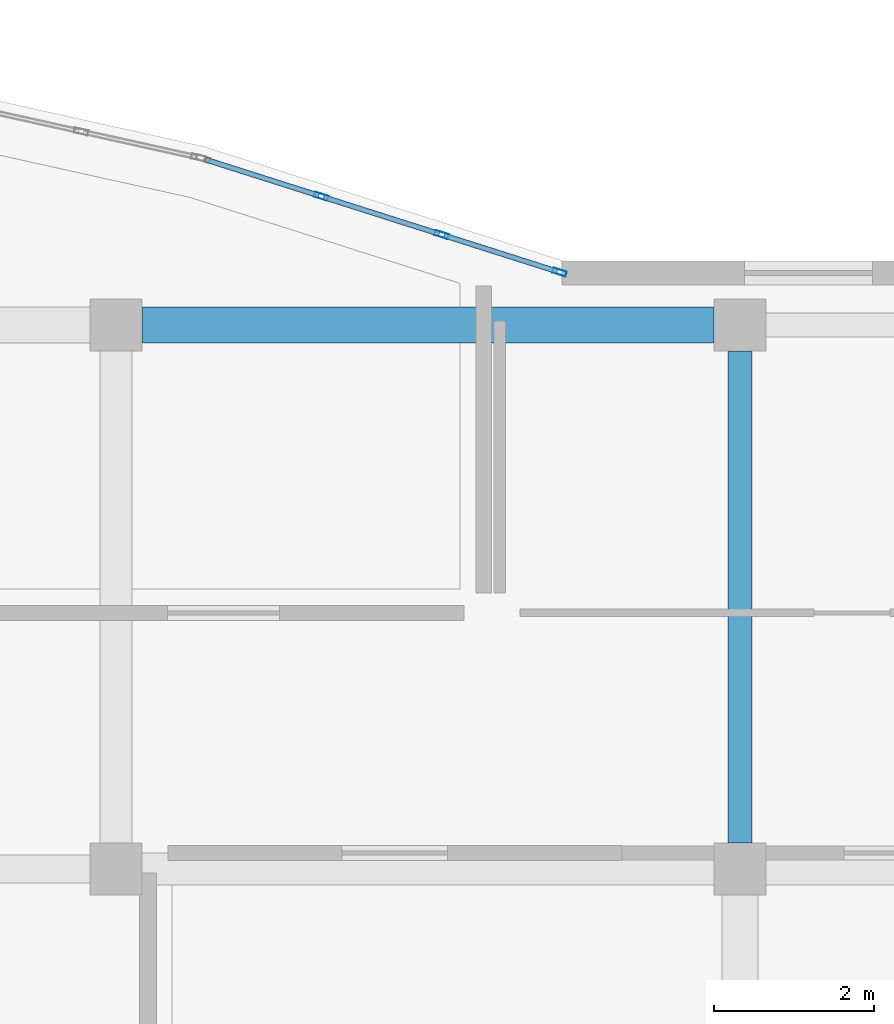
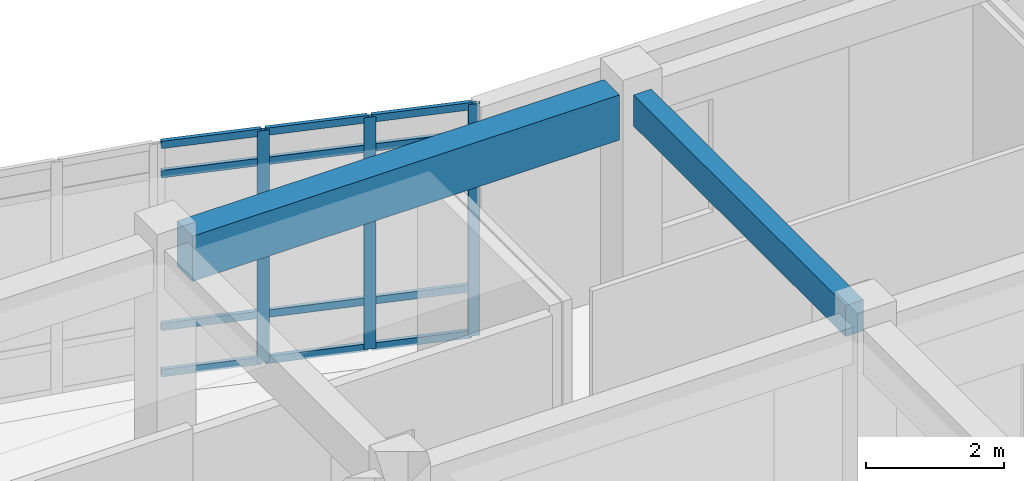
# One storey, part 51 of 142: 15 members, 2 beams, 1 element without a shape of its own.
"""IFC4 building model written with IfcOpenShell, lengths in metres."""

from ifc_helpers import new_model, si_unit, direction, frame, origin, origin_2d, place, context, subcontext, project, spatial, rectangle, hollow_rectangle, extrude, material, layer, layer_set, material_profile, profile_set, type_object, element, aggregate, save


model = new_model("IFC4")

# Units and contexts
model_context = context("Model", 3, precision=1e-05, world=origin(), true_north=direction((0.0, 1.0)))
body_context = subcontext(model_context, "Body", "Model", "MODEL_VIEW")
ifc_project = project(units=[si_unit("LENGTHUNIT", "METRE"), si_unit("AREAUNIT", "SQUARE_METRE"), si_unit("VOLUMEUNIT", "CUBIC_METRE"), si_unit("PLANEANGLEUNIT", "RADIAN"), si_unit("MASSUNIT", "GRAM", prefix="KILO")], contexts=[model_context])

# Site, building, storey
site_placement = place(None, origin())
site = spatial("IfcSite", under=ifc_project, at=site_placement, CompositionType="ELEMENT")
building_placement = place(site_placement, origin())
building = spatial("IfcBuilding", under=site, at=building_placement, Name="Valcora Specialist Clinic", CompositionType="ELEMENT")
storey_placement = place(building_placement, frame((0.0, 0.0, 5.10009765625)))
storey = spatial("IfcBuildingStorey", under=building, at=storey_placement, Name="L01", CompositionType="ELEMENT", Elevation=5.10009765625)

# Beams
ifc_material_1 = material(Name="Concrete C40/50", Category="concrete")
ifc_material_profile_1 = material_profile(ifc_material_1, rectangle(XDim=0.300048828125, YDim=0.550048828125, at=origin_2d()), Name="RC-BM-300X550")
ifc_profile_set_1 = profile_set([ifc_material_profile_1], Name="Concrete C40/50")
beam_type_1 = type_object("IfcBeamType", Name="TY-BM-RC300X550", PredefinedType="BEAM", material=ifc_profile_set_1)
beam_1_placement = place(storey_placement, frame((107.199951171875, 15.52490234375, 3.829833984375), z_axis=(0.0, 1.0, 0.0), x_axis=(-1.0, 0.0, 0.0)))
element("IfcBeam", 1, at=beam_1_placement, inside=storey, type_object=beam_type_1, Name="Beam BM-L01-1349", PredefinedType="BEAM", context=body_context, shape_type="SweptSolid", body=[
    extrude(rectangle(XDim=0.300048828125, YDim=0.550048828125, at=origin_2d()), origin(), (0.0, 0.0, 1.0), 6.150146484375),
])
ifc_material_profile_2 = material_profile(ifc_material_1, rectangle(XDim=0.449951171875, YDim=0.800048828125, at=origin_2d()), Name="RC-BM-450X800")
ifc_profile_set_2 = profile_set([ifc_material_profile_2], Name="Concrete C40/50")
beam_type_2 = type_object("IfcBeamType", Name="TY-BM-RC450X800", PredefinedType="BEAM", material=ifc_profile_set_2)
beam_2_placement = place(storey_placement, frame((99.72509765625, 22.0, 3.704833984375), z_axis=(1.0, 0.0, 0.0), x_axis=(0.0, 1.0, 0.0)))
element("IfcBeam", 2, at=beam_2_placement, inside=storey, type_object=beam_type_2, Name="Beam BM-L01-1326", PredefinedType="BEAM", context=body_context, shape_type="SweptSolid", body=[
    extrude(rectangle(XDim=0.449951171875, YDim=0.800048828125, at=origin_2d()), origin(), (0.0, 0.0, 1.0), 7.14990234375),
])

# Curtain wall, members
ifc_material_2 = material(Name="Anodized Bronze Aluminium 6063-T6", Category="aluminium")
ifc_layer = layer(ifc_material_2, 0.175048828125)
ifc_layer_set = layer_set([ifc_layer], Name="Anodized Bronze Aluminium 6063-T6")
curtain_wall_type = type_object("IfcCurtainWallType", Name="TY-CW-ARC44", PredefinedType="NOTDEFINED", material=ifc_layer_set)
curtain_wall_placement = place(storey_placement, origin())
curtain_wall = element("IfcCurtainWall", 3, at=curtain_wall_placement, inside=storey, type_object=curtain_wall_type, Name="Curtain wall CW-L01-201", PredefinedType="NOTDEFINED")
ifc_material_profile_3 = material_profile(ifc_material_2, hollow_rectangle(XDim=0.06494140625, YDim=0.175048828125, WallThickness=0.00390625, at=origin_2d()), Name="AL-MUL-65X175")
ifc_profile_set_3 = profile_set([ifc_material_profile_3], Name="Anodized Bronze Aluminium 6063-T6")
member_type_1 = type_object("IfcMemberType", Name="TY-CWM-65X175", PredefinedType="MULLION", material=ifc_profile_set_3)
member_1_placement = place(storey_placement, frame((101.966064453125, 23.60791015625, 0.0), z_axis=(0.0, 0.0, 1.0), x_axis=(0.303233270958, 0.952916356972, 0.0)))
member_1 = element("IfcMember", 4, at=member_1_placement, type_object=member_type_1, Name="CW-ARC-44 mullion 2", PredefinedType="MULLION", context=body_context, shape_type="SweptSolid", body=[
    extrude(hollow_rectangle(XDim=0.06494140625, YDim=0.175048828125, WallThickness=0.00390625, at=origin_2d()), origin(), (0.0, 0.0, 1.0), 4.10498046875),
])
member_2_placement = place(storey_placement, frame((103.471435546875, 23.12890625, 0.0), z_axis=(0.0, 0.0, 1.0), x_axis=(0.303233270958, 0.952916356972, 0.0)))
member_2 = element("IfcMember", 5, at=member_2_placement, type_object=member_type_1, Name="CW-ARC-44 mullion 3", PredefinedType="MULLION", context=body_context, shape_type="SweptSolid", body=[
    extrude(hollow_rectangle(XDim=0.06494140625, YDim=0.175048828125, WallThickness=0.00390625, at=origin_2d()), origin(), (0.0, 0.0, 1.0), 4.10498046875),
])
member_3_placement = place(storey_placement, frame((104.94580078125, 22.659912109375, 0.0), z_axis=(0.0, 0.0, 1.0), x_axis=(0.303233270958, 0.952916356972, 0.0)))
member_3 = element("IfcMember", 6, at=member_3_placement, type_object=member_type_1, Name="CW-ARC-44 mullion 4", PredefinedType="MULLION", context=body_context, shape_type="SweptSolid", body=[
    extrude(hollow_rectangle(XDim=0.06494140625, YDim=0.175048828125, WallThickness=0.00390625, at=origin_2d()), origin(), (0.0, 0.0, 1.0), 4.10498046875),
])
ifc_material_profile_4 = material_profile(ifc_material_2, hollow_rectangle(XDim=0.06494140625, YDim=0.1298828125, WallThickness=0.00390625, at=origin_2d()), Name="AL-TRN-65X130")
ifc_profile_set_4 = profile_set([ifc_material_profile_4], Name="Anodized Bronze Aluminium 6063-T6")
member_type_2 = type_object("IfcMemberType", Name="TY-CWT-65X130", PredefinedType="USERDEFINED", material=ifc_profile_set_4)
member_4_placement = place(storey_placement, frame((100.52294921875, 24.0673828125, 0.032470703125), z_axis=(0.952910635624, -0.303251249816, 0.0), x_axis=(0.303251249816, 0.952910635624, 0.0)))
member_4 = element("IfcMember", 7, at=member_4_placement, type_object=member_type_2, Name="CW-ARC-44 transom 1.1", ObjectType="TRANSOM", PredefinedType="USERDEFINED", context=body_context, shape_type="SweptSolid", body=[
    extrude(hollow_rectangle(XDim=0.06494140625, YDim=0.1298828125, WallThickness=0.00390625, at=origin_2d()), origin(), (0.0, 0.0, 1.0), 1.482177734375),
])
member_5_placement = place(storey_placement, frame((100.52294921875, 24.0673828125, 0.849853515625), z_axis=(0.952910635624, -0.303251249816, 0.0), x_axis=(0.303251249816, 0.952910635624, 0.0)))
member_5 = element("IfcMember", 8, at=member_5_placement, type_object=member_type_2, Name="CW-ARC-44 transom 1.2", ObjectType="TRANSOM", PredefinedType="USERDEFINED", context=body_context, shape_type="SweptSolid", body=[
    extrude(hollow_rectangle(XDim=0.06494140625, YDim=0.1298828125, WallThickness=0.00390625, at=origin_2d()), origin(), (0.0, 0.0, 1.0), 1.482177734375),
])
member_6_placement = place(storey_placement, frame((100.52294921875, 24.0673828125, 3.554931640625), z_axis=(0.952910635624, -0.303251249816, 0.0), x_axis=(0.303251249816, 0.952910635624, 0.0)))
member_6 = element("IfcMember", 9, at=member_6_placement, type_object=member_type_2, Name="CW-ARC-44 transom 1.3", ObjectType="TRANSOM", PredefinedType="USERDEFINED", context=body_context, shape_type="SweptSolid", body=[
    extrude(hollow_rectangle(XDim=0.06494140625, YDim=0.1298828125, WallThickness=0.00390625, at=origin_2d()), origin(), (0.0, 0.0, 1.0), 1.482177734375),
])
member_7_placement = place(storey_placement, frame((100.52294921875, 24.0673828125, 4.072509765625), z_axis=(0.952910635624, -0.303251249816, 0.0), x_axis=(0.303251249816, 0.952910635624, 0.0)))
member_7 = element("IfcMember", 10, at=member_7_placement, type_object=member_type_2, Name="CW-ARC-44 transom 1.4", ObjectType="TRANSOM", PredefinedType="USERDEFINED", context=body_context, shape_type="SweptSolid", body=[
    extrude(hollow_rectangle(XDim=0.06494140625, YDim=0.1298828125, WallThickness=0.00390625, at=origin_2d()), origin(), (0.0, 0.0, 1.0), 1.482177734375),
])
member_8_placement = place(storey_placement, frame((101.9970703125, 23.59814453125, 0.032470703125), z_axis=(0.952930013692, -0.303190351109, 0.0), x_axis=(0.303190351109, 0.952930013692, 0.0)))
member_8 = element("IfcMember", 11, at=member_8_placement, type_object=member_type_2, Name="CW-ARC-44 transom 2.1", ObjectType="TRANSOM", PredefinedType="USERDEFINED", context=body_context, shape_type="SweptSolid", body=[
    extrude(hollow_rectangle(XDim=0.06494140625, YDim=0.1298828125, WallThickness=0.00390625, at=origin_2d()), origin(), (0.0, 0.0, 1.0), 1.5146484375),
])
member_9_placement = place(storey_placement, frame((101.9970703125, 23.59814453125, 0.849853515625), z_axis=(0.952930013692, -0.303190351109, 0.0), x_axis=(0.303190351109, 0.952930013692, 0.0)))
member_9 = element("IfcMember", 12, at=member_9_placement, type_object=member_type_2, Name="CW-ARC-44 transom 2.2", ObjectType="TRANSOM", PredefinedType="USERDEFINED", context=body_context, shape_type="SweptSolid", body=[
    extrude(hollow_rectangle(XDim=0.06494140625, YDim=0.1298828125, WallThickness=0.00390625, at=origin_2d()), origin(), (0.0, 0.0, 1.0), 1.5146484375),
])
member_10_placement = place(storey_placement, frame((101.9970703125, 23.59814453125, 3.554931640625), z_axis=(0.952930013692, -0.303190351109, 0.0), x_axis=(0.303190351109, 0.952930013692, 0.0)))
member_10 = element("IfcMember", 13, at=member_10_placement, type_object=member_type_2, Name="CW-ARC-44 transom 2.3", ObjectType="TRANSOM", PredefinedType="USERDEFINED", context=body_context, shape_type="SweptSolid", body=[
    extrude(hollow_rectangle(XDim=0.06494140625, YDim=0.1298828125, WallThickness=0.00390625, at=origin_2d()), origin(), (0.0, 0.0, 1.0), 1.5146484375),
])
member_11_placement = place(storey_placement, frame((101.9970703125, 23.59814453125, 4.072509765625), z_axis=(0.952930013692, -0.303190351109, 0.0), x_axis=(0.303190351109, 0.952930013692, 0.0)))
member_11 = element("IfcMember", 14, at=member_11_placement, type_object=member_type_2, Name="CW-ARC-44 transom 2.4", ObjectType="TRANSOM", PredefinedType="USERDEFINED", context=body_context, shape_type="SweptSolid", body=[
    extrude(hollow_rectangle(XDim=0.06494140625, YDim=0.1298828125, WallThickness=0.00390625, at=origin_2d()), origin(), (0.0, 0.0, 1.0), 1.5146484375),
])
member_12_placement = place(storey_placement, frame((103.50244140625, 23.119140625, 0.032470703125), z_axis=(0.952910635624, -0.303251249816, 0.0), x_axis=(0.303251249816, 0.952910635624, 0.0)))
member_12 = element("IfcMember", 15, at=member_12_placement, type_object=member_type_2, Name="CW-ARC-44 transom 3.1", ObjectType="TRANSOM", PredefinedType="USERDEFINED", context=body_context, shape_type="SweptSolid", body=[
    extrude(hollow_rectangle(XDim=0.06494140625, YDim=0.1298828125, WallThickness=0.00390625, at=origin_2d()), origin(), (0.0, 0.0, 1.0), 1.482177734375),
])
member_13_placement = place(storey_placement, frame((103.50244140625, 23.119140625, 0.849853515625), z_axis=(0.952910635624, -0.303251249816, 0.0), x_axis=(0.303251249816, 0.952910635624, 0.0)))
member_13 = element("IfcMember", 16, at=member_13_placement, type_object=member_type_2, Name="CW-ARC-44 transom 3.2", ObjectType="TRANSOM", PredefinedType="USERDEFINED", context=body_context, shape_type="SweptSolid", body=[
    extrude(hollow_rectangle(XDim=0.06494140625, YDim=0.1298828125, WallThickness=0.00390625, at=origin_2d()), origin(), (0.0, 0.0, 1.0), 1.482177734375),
])
member_14_placement = place(storey_placement, frame((103.50244140625, 23.119140625, 3.554931640625), z_axis=(0.952910635624, -0.303251249816, 0.0), x_axis=(0.303251249816, 0.952910635624, 0.0)))
member_14 = element("IfcMember", 17, at=member_14_placement, type_object=member_type_2, Name="CW-ARC-44 transom 3.3", ObjectType="TRANSOM", PredefinedType="USERDEFINED", context=body_context, shape_type="SweptSolid", body=[
    extrude(hollow_rectangle(XDim=0.06494140625, YDim=0.1298828125, WallThickness=0.00390625, at=origin_2d()), origin(), (0.0, 0.0, 1.0), 1.482177734375),
])
member_15_placement = place(storey_placement, frame((103.50244140625, 23.119140625, 4.072509765625), z_axis=(0.952910635624, -0.303251249816, 0.0), x_axis=(0.303251249816, 0.952910635624, 0.0)))
member_15 = element("IfcMember", 18, at=member_15_placement, type_object=member_type_2, Name="CW-ARC-44 transom 3.4", ObjectType="TRANSOM", PredefinedType="USERDEFINED", context=body_context, shape_type="SweptSolid", body=[
    extrude(hollow_rectangle(XDim=0.06494140625, YDim=0.1298828125, WallThickness=0.00390625, at=origin_2d()), origin(), (0.0, 0.0, 1.0), 1.482177734375),
])
aggregate(curtain_wall, [member_1, member_2, member_3, member_4, member_5, member_6, member_7, member_8, member_9, member_10, member_11, member_12, member_13, member_14, member_15])

save(model, "model.ifc")
